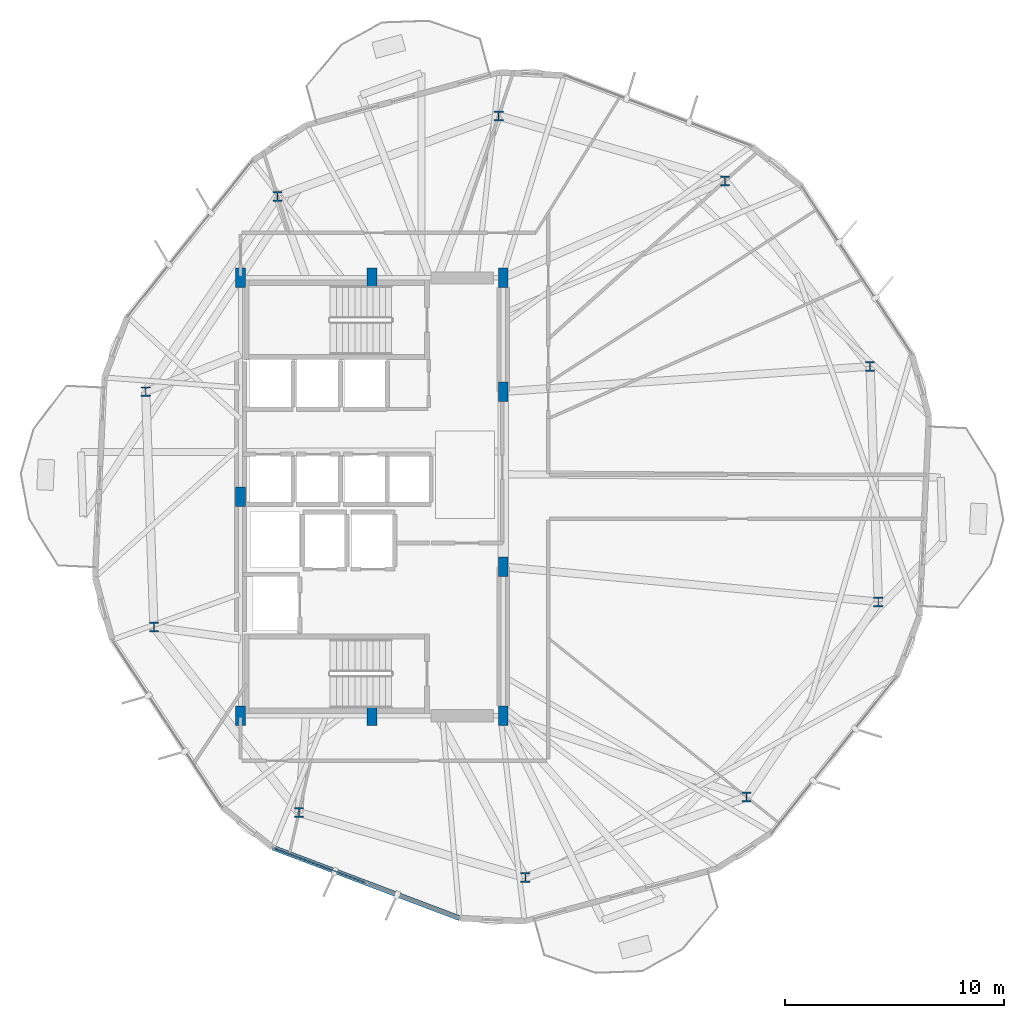
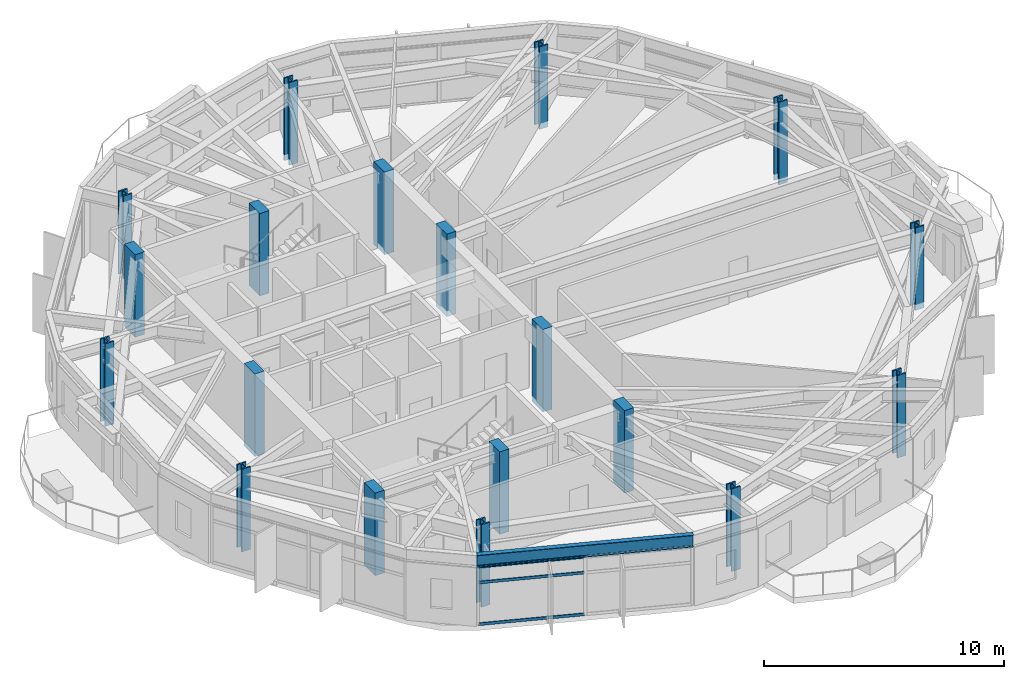
# One storey, part 1 of 25: 19 columns, 3 members, 1 beam, 1 element without a shape of its own.
"""IFC4 building model written with IfcOpenShell, lengths in metres."""

from ifc_helpers import new_model, si_unit, direction, frame, origin, origin_2d, place, context, subcontext, project, spatial, rectangle, hollow_rectangle, i_section, extrude, material, layer, layer_set, material_profile, profile_set, type_object, element, aggregate, save


model = new_model("IFC4")

# Units and contexts
model_context = context("Model", 3, precision=1e-05, world=origin(), true_north=direction((0.0, 1.0)))
body_context = subcontext(model_context, "Body", "Model", "MODEL_VIEW")
ifc_project = project(units=[si_unit("LENGTHUNIT", "METRE"), si_unit("AREAUNIT", "SQUARE_METRE"), si_unit("VOLUMEUNIT", "CUBIC_METRE"), si_unit("PLANEANGLEUNIT", "RADIAN"), si_unit("MASSUNIT", "GRAM", prefix="KILO")], contexts=[model_context])

# Site, building, storey
site_placement = place(None, origin())
site = spatial("IfcSite", under=ifc_project, at=site_placement, CompositionType="ELEMENT")
building_placement = place(site_placement, origin())
building = spatial("IfcBuilding", under=site, at=building_placement, Name="Soratama Intermodal Tower", CompositionType="ELEMENT")
storey_placement = place(building_placement, frame((0.0, 0.0, 87.39990234375)))
storey = spatial("IfcBuildingStorey", under=building, at=storey_placement, Name="L20", CompositionType="ELEMENT", Elevation=87.39990234375)

# Columns
ifc_material_1 = material(Name="Structural steel ASTM A992 Grade 50", Category="steel")
ifc_material_profile_1 = material_profile(ifc_material_1, i_section(OverallWidth=0.41796875, OverallDepth=0.455078125, WebThickness=0.0419921875, FlangeThickness=0.067626953125, FilletRadius=0.0380859375, at=origin_2d()), Name="W14X370")
ifc_profile_set_1 = profile_set([ifc_material_profile_1], Name="Structural steel ASTM A992 Grade 50")
column_type_1 = type_object("IfcColumnType", Name="COL-ZB-W14X370", PredefinedType="COLUMN", material=ifc_profile_set_1)
for number, where, z_axis, x_axis, name in (
    (1, (61.3505859375, 30.951171875, -0.2998046875), (0.0, 0.0, 1.0), (1.0, 0.0, 0.0), "L20 Tower Ring Column R01"),
    (2, (54.72998046875, 39.42529296875, -0.2998046875), (0.0, 0.0, 1.0), (1.0, 0.0, 0.0), "L20 Tower Ring Column R02"),
    (3, (44.392578125, 42.389404296875, -0.2998046875), (0.0, 0.0, 1.0), (1.0, 0.0, 0.0), "L20 Tower Ring Column R03"),
    (4, (34.28759765625, 38.71142578125, -0.2998046875), (0.0, 0.0, 1.0), (1.0, 0.0, 0.0), "L20 Tower Ring Column R04"),
    (5, (28.27392578125, 29.796142578125, -0.2998046875), (0.0, 0.0, 1.0), (1.0, 0.0, 0.0), "L20 Tower Ring Column R05"),
    (6, (28.6494140625, 19.048828125, -0.2998046875), (0.0, 0.0, 1.0), (1.0, 0.0, 0.0), "L20 Tower Ring Column R06"),
    (7, (35.27001953125, 10.57470703125, -0.2998046875), (0.0, 0.0, 1.0), (1.0, 0.0, 0.0), "L20 Tower Ring Column R07"),
    (8, (45.607421875, 7.610595703125, -0.2998046875), (0.0, 0.0, 1.0), (1.0, 0.0, 0.0), "L20 Tower Ring Column R08"),
    (9, (55.71240234375, 11.28857421875, -0.2998046875), (0.0, 0.0, 1.0), (1.0, 0.0, 0.0), "L20 Tower Ring Column R09"),
    (10, (61.72607421875, 20.203857421875, -0.2998046875), (0.0, 0.0, 1.0), (1.0, 0.0, 0.0), "L20 Tower Ring Column R10"),
):
    element("IfcColumn", number, at=place(storey_placement, frame(where, z_axis=z_axis, x_axis=x_axis)), inside=storey, type_object=column_type_1, Name=name, PredefinedType="COLUMN", context=body_context, shape_type="SweptSolid", body=[
        extrude(i_section(OverallWidth=0.41796875, OverallDepth=0.455078125, WebThickness=0.0419921875, FlangeThickness=0.067626953125, FilletRadius=0.0380859375, at=origin_2d()), origin(), (0.0, 0.0, 1.0), 4.199951171875),
    ])
ifc_material_2 = material(Name="Concrete f'c 56 MPa", Category="concrete")
ifc_material_profile_2 = material_profile(ifc_material_2, rectangle(XDim=0.449951171875, YDim=0.89990234375, at=origin_2d()), Name="RC450X900")
ifc_profile_set_2 = profile_set([ifc_material_profile_2], Name="Concrete f'c 56 MPa")
column_type_2 = type_object("IfcColumnType", Name="PIL-CORE-450X900", PredefinedType="PILASTER", material=ifc_profile_set_2)
for number, where, z_axis, x_axis, name in (
    (11, (32.60009765625, 15.0, -0.2998046875), (0.0, 0.0, 1.0), (1.0, 0.0, 0.0), "L20 Core Pilaster 1"),
    (12, (32.60009765625, 25.0, -0.2998046875), (0.0, 0.0, 1.0), (1.0, 0.0, 0.0), "L20 Core Pilaster 2"),
    (13, (32.60009765625, 35.0, -0.2998046875), (0.0, 0.0, 1.0), (1.0, 0.0, 0.0), "L20 Core Pilaster 3"),
    (14, (38.60009765625, 15.0, -0.2998046875), (0.0, 0.0, 1.0), (1.0, 0.0, 0.0), "L20 Core Pilaster 4"),
    (15, (38.60009765625, 35.0, -0.2998046875), (0.0, 0.0, 1.0), (1.0, 0.0, 0.0), "L20 Core Pilaster 5"),
    (16, (44.60009765625, 15.0, -0.2998046875), (0.0, 0.0, 1.0), (1.0, 0.0, 0.0), "L20 Core Pilaster 6"),
    (17, (44.60009765625, 21.800048828125, -0.2998046875), (0.0, 0.0, 1.0), (1.0, 0.0, 0.0), "L20 Core Pilaster 7"),
    (18, (44.60009765625, 29.800048828125, -0.2998046875), (0.0, 0.0, 1.0), (1.0, 0.0, 0.0), "L20 Core Pilaster 8"),
    (19, (44.60009765625, 35.0, -0.2998046875), (0.0, 0.0, 1.0), (1.0, 0.0, 0.0), "L20 Core Pilaster 9"),
):
    element("IfcColumn", number, at=place(storey_placement, frame(where, z_axis=z_axis, x_axis=x_axis)), inside=storey, type_object=column_type_2, Name=name, PredefinedType="PILASTER", context=body_context, shape_type="SweptSolid", body=[
        extrude(rectangle(XDim=0.449951171875, YDim=0.89990234375, at=origin_2d()), origin(), (0.0, 0.0, 1.0), 4.199951171875),
    ])

# Beam
ifc_material_3 = material(Name="Structural steel ASTM A992 Grade 50", Category="steel")
ifc_material_profile_3 = material_profile(ifc_material_3, i_section(OverallWidth=0.22900390625, OverallDepth=0.612060546875, WebThickness=0.011962890625, FlangeThickness=0.01953125, FilletRadius=0.012939453125, at=origin_2d()), Name="W24X84")
ifc_profile_set_3 = profile_set([ifc_material_profile_3], Name="Structural steel ASTM A992 Grade 50")
beam_type = type_object("IfcBeamType", Name="BM-SPN-W24X84", PredefinedType="SPANDREL", material=ifc_profile_set_3)
beam_placement = place(storey_placement, frame((34.06689453125, 8.98095703125, 3.294189453125), z_axis=(0.935455984261, -0.353443208323, 0.0), x_axis=(0.353443208323, 0.935455984261, 0.0)))
element("IfcBeam", 20, at=beam_placement, inside=storey, type_object=beam_type, Name="BS-L20-F07", PredefinedType="SPANDREL", context=body_context, shape_type="SweptSolid", body=[
    extrude(i_section(OverallWidth=0.22900390625, OverallDepth=0.612060546875, WebThickness=0.011962890625, FlangeThickness=0.01953125, FilletRadius=0.012939453125, at=origin_2d()), origin(), (0.0, 0.0, 1.0), 9.13037109375),
])

# Curtain wall, members
ifc_material_4 = material(Name="Double-glazed aluminium curtain wall", Category="aluminium")
ifc_layer = layer(ifc_material_4, 0.159912109375)
ifc_layer_set = layer_set([ifc_layer], Name="Double-glazed aluminium curtain wall")
curtain_wall_type = type_object("IfcCurtainWallType", Name="CW-SYS-3", PredefinedType="NOTDEFINED", material=ifc_layer_set)
curtain_wall_placement = place(storey_placement, origin())
curtain_wall = element("IfcCurtainWall", 21, at=curtain_wall_placement, inside=storey, type_object=curtain_wall_type, Name="L20 Faceted Curtain Wall F07", PredefinedType="NOTDEFINED")
ifc_material_5 = material(Name="Anodised aluminium AA 6063-T6", Category="aluminium")
ifc_material_profile_4 = material_profile(ifc_material_5, hollow_rectangle(XDim=0.06494140625, YDim=0.14990234375, WallThickness=0.0048828125, InnerFilletRadius=0.0048828125, OuterFilletRadius=0.010009765625, at=origin_2d()), Name="CWT150X65X5")
ifc_profile_set_4 = profile_set([ifc_material_profile_4], Name="Anodised aluminium AA 6063-T6")
member_type = type_object("IfcMemberType", Name="TT-CWT-1", PredefinedType="USERDEFINED", material=ifc_profile_set_4)
member_1_placement = place(storey_placement, frame((34.12353515625, 8.960205078125, 0.030029296875), z_axis=(0.935436013931, -0.353496059158, 0.0), x_axis=(0.353496059158, 0.935436013931, 0.0)))
member_1 = element("IfcMember", 22, at=member_1_placement, type_object=member_type, Name="CW-3 transom 1.1", ObjectType="TRANSOM", PredefinedType="USERDEFINED", context=body_context, shape_type="SweptSolid", body=[
    extrude(hollow_rectangle(XDim=0.06494140625, YDim=0.14990234375, WallThickness=0.0048828125, InnerFilletRadius=0.0048828125, OuterFilletRadius=0.010009765625, at=origin_2d()), origin(), (0.0, 0.0, 1.0), 4.474609375),
])
member_2_placement = place(storey_placement, frame((34.12353515625, 8.960205078125, 2.150146484375), z_axis=(0.935436013931, -0.353496059158, 0.0), x_axis=(0.353496059158, 0.935436013931, 0.0)))
member_2 = element("IfcMember", 23, at=member_2_placement, type_object=member_type, Name="CW-3 transom 1.2", ObjectType="TRANSOM", PredefinedType="USERDEFINED", context=body_context, shape_type="SweptSolid", body=[
    extrude(hollow_rectangle(XDim=0.06494140625, YDim=0.14990234375, WallThickness=0.0048828125, InnerFilletRadius=0.0048828125, OuterFilletRadius=0.010009765625, at=origin_2d()), origin(), (0.0, 0.0, 1.0), 4.474609375),
])
member_3_placement = place(storey_placement, frame((34.12353515625, 8.960205078125, 2.94921875), z_axis=(0.935436013931, -0.353496059158, 0.0), x_axis=(0.353496059158, 0.935436013931, 0.0)))
member_3 = element("IfcMember", 24, at=member_3_placement, type_object=member_type, Name="CW-3 transom 1.3", ObjectType="TRANSOM", PredefinedType="USERDEFINED", context=body_context, shape_type="SweptSolid", body=[
    extrude(hollow_rectangle(XDim=0.06494140625, YDim=0.14990234375, WallThickness=0.0048828125, InnerFilletRadius=0.0048828125, OuterFilletRadius=0.010009765625, at=origin_2d()), origin(), (0.0, 0.0, 1.0), 4.474609375),
])
aggregate(curtain_wall, [member_1, member_2, member_3])

save(model, "model.ifc")
